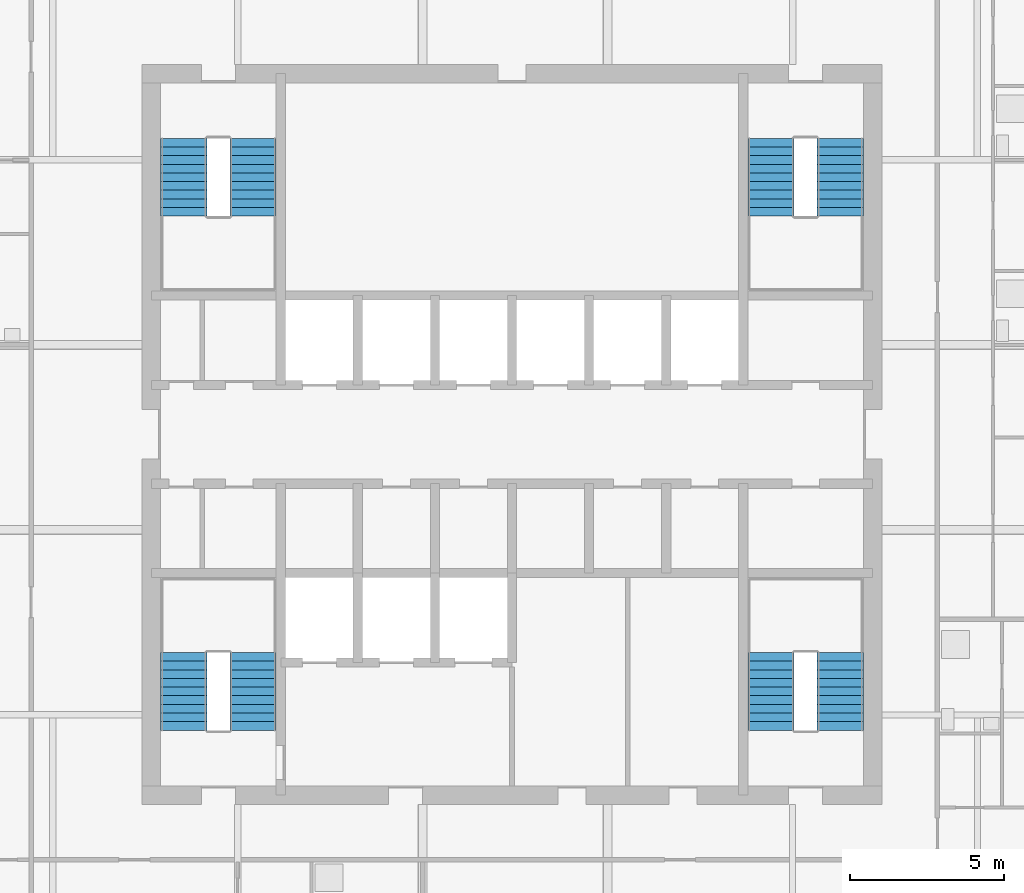
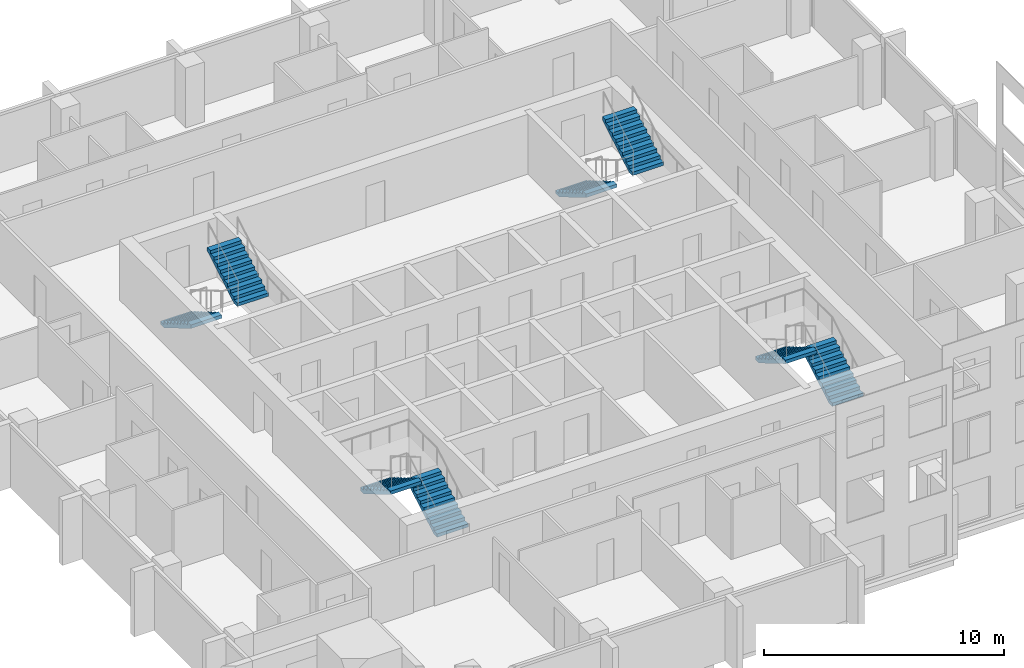
# One storey, part 8 of 12: 8 stair flights, 4 elements without a shape of their own.
"""IFC4 building model written with IfcOpenShell, lengths in metres."""

from ifc_helpers import new_model, si_unit, direction, frame, origin, place, context, subcontext, project, spatial, polyline, outline, extrude, material, type_object, element, aggregate, save


model = new_model("IFC4")

# Units and contexts
model_context = context("Model", 3, precision=1e-05, world=origin(), true_north=direction((0.0, 1.0)))
body_context = subcontext(model_context, "Body", "Model", "MODEL_VIEW")
ifc_project = project(units=[si_unit("LENGTHUNIT", "METRE"), si_unit("AREAUNIT", "SQUARE_METRE"), si_unit("VOLUMEUNIT", "CUBIC_METRE"), si_unit("PLANEANGLEUNIT", "RADIAN"), si_unit("MASSUNIT", "GRAM", prefix="KILO")], contexts=[model_context])

# Site, building, storey
site_placement = place(None, origin())
site = spatial("IfcSite", under=ifc_project, at=site_placement, CompositionType="ELEMENT")
building_placement = place(site_placement, origin())
building = spatial("IfcBuilding", under=site, at=building_placement, Name="Amberfall Residences", CompositionType="ELEMENT")
storey_placement = place(building_placement, frame((0.0, 0.0, 187.0)))
storey = spatial("IfcBuildingStorey", under=building, at=storey_placement, Name="L49", CompositionType="ELEMENT", Elevation=187.0)

# Stair, stair flights
ifc_material = material(Name="Concrete C40", Category="concrete")
stair_type = type_object("IfcStairType", Name="Exit stair 20 risers 165.0 mm", PredefinedType="HALF_TURN_STAIR", material=ifc_material)
stair_1_placement = place(storey_placement, origin())
stair_1 = element("IfcStair", 1, at=stair_1_placement, inside=storey, type_object=stair_type, Name="L49 Exit stair 1", PredefinedType="HALF_TURN_STAIR")
stair_flight_type = type_object("IfcStairFlightType", Name="Stair flight 10 risers 165.0 mm", PredefinedType="STRAIGHT", material=ifc_material)
stair_flight_1_placement = place(storey_placement, frame((66.10009765625, 35.89990234375, 0.0), z_axis=(0.0, 0.0, 1.0), x_axis=(0.0, 1.0, 0.0)))
stair_flight_1 = element("IfcStairFlight", 2, at=stair_flight_1_placement, type_object=stair_flight_type, Name="ST3 flight 1", NumberOfRisers=10, NumberOfTreads=9, PredefinedType="STRAIGHT", RiserHeight=0.165, TreadLength=0.28, context=body_context, shape_type="SweptSolid", body=[
    extrude(outline(polyline([(0.0, 0.0), (0.0, 0.1650390625), (0.280029296875, 0.1650390625), (0.280029296875, 0.330078125), (0.56005859375, 0.330078125), (0.56005859375, 0.4951171875), (0.840087890625, 0.4951171875), (0.840087890625, 0.659912109375), (1.1201171875, 0.659912109375), (1.1201171875, 0.824951171875), (1.39990234375, 0.824951171875), (1.39990234375, 0.989990234375), (1.679931640625, 0.989990234375), (1.679931640625, 1.155029296875), (1.9599609375, 1.155029296875), (1.9599609375, 1.320068359375), (2.239990234375, 1.320068359375), (2.239990234375, 1.485107421875), (2.52001953125, 1.485107421875), (2.52001953125, 1.64990234375), (2.52001953125, 1.31103515625), (0.295166015625, 0.0), (0.0, 0.0)])), frame((0.0, 0.75, 0.0), z_axis=(0.0, -1.0, 0.0), x_axis=(1.0, 0.0, 0.0)), (0.0, 0.0, 1.0), 1.5),
])
stair_flight_2_placement = place(storey_placement, frame((63.85009765625, 38.419921875, 1.64990234375), z_axis=(0.0, 0.0, 1.0), x_axis=(0.0, -1.0, 0.0)))
stair_flight_2 = element("IfcStairFlight", 3, at=stair_flight_2_placement, type_object=stair_flight_type, Name="ST3 flight 2", NumberOfRisers=10, NumberOfTreads=9, PredefinedType="STRAIGHT", RiserHeight=0.165, TreadLength=0.28, context=body_context, shape_type="SweptSolid", body=[
    extrude(outline(polyline([(0.0, 0.0), (0.0, 0.1650390625), (0.280029296875, 0.1650390625), (0.280029296875, 0.330078125), (0.56005859375, 0.330078125), (0.56005859375, 0.4951171875), (0.840087890625, 0.4951171875), (0.840087890625, 0.659912109375), (1.1201171875, 0.659912109375), (1.1201171875, 0.824951171875), (1.39990234375, 0.824951171875), (1.39990234375, 0.989990234375), (1.679931640625, 0.989990234375), (1.679931640625, 1.155029296875), (1.9599609375, 1.155029296875), (1.9599609375, 1.320068359375), (2.239990234375, 1.320068359375), (2.239990234375, 1.485107421875), (2.52001953125, 1.485107421875), (2.52001953125, 1.64990234375), (2.52001953125, 1.31103515625), (0.295166015625, 0.0), (0.0, 0.0)])), frame((0.0, 0.75, 0.0), z_axis=(0.0, -1.0, 0.0), x_axis=(1.0, 0.0, 0.0)), (0.0, 0.0, 1.0), 1.5),
])
aggregate(stair_1, [stair_flight_1, stair_flight_2])

stair_2_placement = place(storey_placement, origin())
stair_2 = element("IfcStair", 4, at=stair_2_placement, inside=storey, type_object=stair_type, Name="L49 Exit stair 2", PredefinedType="HALF_TURN_STAIR")
stair_flight_3_placement = place(storey_placement, frame((85.14990234375, 35.89990234375, 0.0), z_axis=(0.0, 0.0, 1.0), x_axis=(0.0, 1.0, 0.0)))
stair_flight_3 = element("IfcStairFlight", 5, at=stair_flight_3_placement, type_object=stair_flight_type, Name="ST3 flight 1", NumberOfRisers=10, NumberOfTreads=9, PredefinedType="STRAIGHT", RiserHeight=0.165, TreadLength=0.28, context=body_context, shape_type="SweptSolid", body=[
    extrude(outline(polyline([(0.0, 0.0), (0.0, 0.1650390625), (0.280029296875, 0.1650390625), (0.280029296875, 0.330078125), (0.56005859375, 0.330078125), (0.56005859375, 0.4951171875), (0.840087890625, 0.4951171875), (0.840087890625, 0.659912109375), (1.1201171875, 0.659912109375), (1.1201171875, 0.824951171875), (1.39990234375, 0.824951171875), (1.39990234375, 0.989990234375), (1.679931640625, 0.989990234375), (1.679931640625, 1.155029296875), (1.9599609375, 1.155029296875), (1.9599609375, 1.320068359375), (2.239990234375, 1.320068359375), (2.239990234375, 1.485107421875), (2.52001953125, 1.485107421875), (2.52001953125, 1.64990234375), (2.52001953125, 1.31103515625), (0.295166015625, 0.0), (0.0, 0.0)])), frame((0.0, 0.75, 0.0), z_axis=(0.0, -1.0, 0.0), x_axis=(1.0, 0.0, 0.0)), (0.0, 0.0, 1.0), 1.5),
])
stair_flight_4_placement = place(storey_placement, frame((82.89990234375, 38.419921875, 1.64990234375), z_axis=(0.0, 0.0, 1.0), x_axis=(0.0, -1.0, 0.0)))
stair_flight_4 = element("IfcStairFlight", 6, at=stair_flight_4_placement, type_object=stair_flight_type, Name="ST3 flight 2", NumberOfRisers=10, NumberOfTreads=9, PredefinedType="STRAIGHT", RiserHeight=0.165, TreadLength=0.28, context=body_context, shape_type="SweptSolid", body=[
    extrude(outline(polyline([(0.0, 0.0), (0.0, 0.1650390625), (0.280029296875, 0.1650390625), (0.280029296875, 0.330078125), (0.56005859375, 0.330078125), (0.56005859375, 0.4951171875), (0.840087890625, 0.4951171875), (0.840087890625, 0.659912109375), (1.1201171875, 0.659912109375), (1.1201171875, 0.824951171875), (1.39990234375, 0.824951171875), (1.39990234375, 0.989990234375), (1.679931640625, 0.989990234375), (1.679931640625, 1.155029296875), (1.9599609375, 1.155029296875), (1.9599609375, 1.320068359375), (2.239990234375, 1.320068359375), (2.239990234375, 1.485107421875), (2.52001953125, 1.485107421875), (2.52001953125, 1.64990234375), (2.52001953125, 1.31103515625), (0.295166015625, 0.0), (0.0, 0.0)])), frame((0.0, 0.75, 0.0), z_axis=(0.0, -1.0, 0.0), x_axis=(1.0, 0.0, 0.0)), (0.0, 0.0, 1.0), 1.5),
])
aggregate(stair_2, [stair_flight_3, stair_flight_4])

stair_3_placement = place(storey_placement, origin())
stair_3 = element("IfcStair", 7, at=stair_3_placement, inside=storey, type_object=stair_type, Name="L49 Exit stair 3", PredefinedType="HALF_TURN_STAIR")
stair_flight_5_placement = place(storey_placement, frame((82.89990234375, 55.10009765625, 0.0), z_axis=(0.0, 0.0, 1.0), x_axis=(0.0, -1.0, 0.0)))
stair_flight_5 = element("IfcStairFlight", 8, at=stair_flight_5_placement, type_object=stair_flight_type, Name="ST3 flight 1", NumberOfRisers=10, NumberOfTreads=9, PredefinedType="STRAIGHT", RiserHeight=0.165, TreadLength=0.28, context=body_context, shape_type="SweptSolid", body=[
    extrude(outline(polyline([(0.0, 0.0), (0.0, 0.1650390625), (0.280029296875, 0.1650390625), (0.280029296875, 0.330078125), (0.56005859375, 0.330078125), (0.56005859375, 0.4951171875), (0.840087890625, 0.4951171875), (0.840087890625, 0.659912109375), (1.1201171875, 0.659912109375), (1.1201171875, 0.824951171875), (1.39990234375, 0.824951171875), (1.39990234375, 0.989990234375), (1.679931640625, 0.989990234375), (1.679931640625, 1.155029296875), (1.9599609375, 1.155029296875), (1.9599609375, 1.320068359375), (2.239990234375, 1.320068359375), (2.239990234375, 1.485107421875), (2.52001953125, 1.485107421875), (2.52001953125, 1.64990234375), (2.52001953125, 1.31103515625), (0.295166015625, 0.0), (0.0, 0.0)])), frame((0.0, 0.75, 0.0), z_axis=(0.0, -1.0, 0.0), x_axis=(1.0, 0.0, 0.0)), (0.0, 0.0, 1.0), 1.5),
])
stair_flight_6_placement = place(storey_placement, frame((85.14990234375, 52.580078125, 1.64990234375), z_axis=(0.0, 0.0, 1.0), x_axis=(0.0, 1.0, 0.0)))
stair_flight_6 = element("IfcStairFlight", 9, at=stair_flight_6_placement, type_object=stair_flight_type, Name="ST3 flight 2", NumberOfRisers=10, NumberOfTreads=9, PredefinedType="STRAIGHT", RiserHeight=0.165, TreadLength=0.28, context=body_context, shape_type="SweptSolid", body=[
    extrude(outline(polyline([(0.0, 0.0), (0.0, 0.1650390625), (0.280029296875, 0.1650390625), (0.280029296875, 0.330078125), (0.56005859375, 0.330078125), (0.56005859375, 0.4951171875), (0.840087890625, 0.4951171875), (0.840087890625, 0.659912109375), (1.1201171875, 0.659912109375), (1.1201171875, 0.824951171875), (1.39990234375, 0.824951171875), (1.39990234375, 0.989990234375), (1.679931640625, 0.989990234375), (1.679931640625, 1.155029296875), (1.9599609375, 1.155029296875), (1.9599609375, 1.320068359375), (2.239990234375, 1.320068359375), (2.239990234375, 1.485107421875), (2.52001953125, 1.485107421875), (2.52001953125, 1.64990234375), (2.52001953125, 1.31103515625), (0.295166015625, 0.0), (0.0, 0.0)])), frame((0.0, 0.75, 0.0), z_axis=(0.0, -1.0, 0.0), x_axis=(1.0, 0.0, 0.0)), (0.0, 0.0, 1.0), 1.5),
])
aggregate(stair_3, [stair_flight_5, stair_flight_6])

stair_4_placement = place(storey_placement, origin())
stair_4 = element("IfcStair", 10, at=stair_4_placement, inside=storey, type_object=stair_type, Name="L49 Exit stair 4", PredefinedType="HALF_TURN_STAIR")
stair_flight_7_placement = place(storey_placement, frame((63.85009765625, 55.10009765625, 0.0), z_axis=(0.0, 0.0, 1.0), x_axis=(0.0, -1.0, 0.0)))
stair_flight_7 = element("IfcStairFlight", 11, at=stair_flight_7_placement, type_object=stair_flight_type, Name="ST3 flight 1", NumberOfRisers=10, NumberOfTreads=9, PredefinedType="STRAIGHT", RiserHeight=0.165, TreadLength=0.28, context=body_context, shape_type="SweptSolid", body=[
    extrude(outline(polyline([(0.0, 0.0), (0.0, 0.1650390625), (0.280029296875, 0.1650390625), (0.280029296875, 0.330078125), (0.56005859375, 0.330078125), (0.56005859375, 0.4951171875), (0.840087890625, 0.4951171875), (0.840087890625, 0.659912109375), (1.1201171875, 0.659912109375), (1.1201171875, 0.824951171875), (1.39990234375, 0.824951171875), (1.39990234375, 0.989990234375), (1.679931640625, 0.989990234375), (1.679931640625, 1.155029296875), (1.9599609375, 1.155029296875), (1.9599609375, 1.320068359375), (2.239990234375, 1.320068359375), (2.239990234375, 1.485107421875), (2.52001953125, 1.485107421875), (2.52001953125, 1.64990234375), (2.52001953125, 1.31103515625), (0.295166015625, 0.0), (0.0, 0.0)])), frame((0.0, 0.75, 0.0), z_axis=(0.0, -1.0, 0.0), x_axis=(1.0, 0.0, 0.0)), (0.0, 0.0, 1.0), 1.5),
])
stair_flight_8_placement = place(storey_placement, frame((66.10009765625, 52.580078125, 1.64990234375), z_axis=(0.0, 0.0, 1.0), x_axis=(0.0, 1.0, 0.0)))
stair_flight_8 = element("IfcStairFlight", 12, at=stair_flight_8_placement, type_object=stair_flight_type, Name="ST3 flight 2", NumberOfRisers=10, NumberOfTreads=9, PredefinedType="STRAIGHT", RiserHeight=0.165, TreadLength=0.28, context=body_context, shape_type="SweptSolid", body=[
    extrude(outline(polyline([(0.0, 0.0), (0.0, 0.1650390625), (0.280029296875, 0.1650390625), (0.280029296875, 0.330078125), (0.56005859375, 0.330078125), (0.56005859375, 0.4951171875), (0.840087890625, 0.4951171875), (0.840087890625, 0.659912109375), (1.1201171875, 0.659912109375), (1.1201171875, 0.824951171875), (1.39990234375, 0.824951171875), (1.39990234375, 0.989990234375), (1.679931640625, 0.989990234375), (1.679931640625, 1.155029296875), (1.9599609375, 1.155029296875), (1.9599609375, 1.320068359375), (2.239990234375, 1.320068359375), (2.239990234375, 1.485107421875), (2.52001953125, 1.485107421875), (2.52001953125, 1.64990234375), (2.52001953125, 1.31103515625), (0.295166015625, 0.0), (0.0, 0.0)])), frame((0.0, 0.75, 0.0), z_axis=(0.0, -1.0, 0.0), x_axis=(1.0, 0.0, 0.0)), (0.0, 0.0, 1.0), 1.5),
])
aggregate(stair_4, [stair_flight_7, stair_flight_8])

save(model, "model.ifc")
